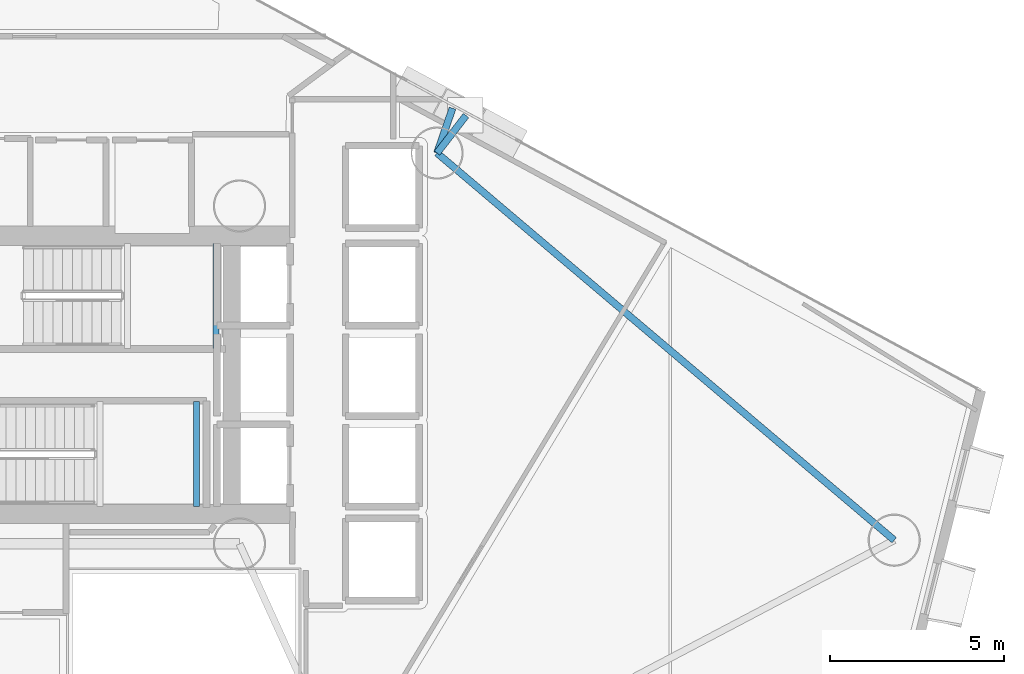
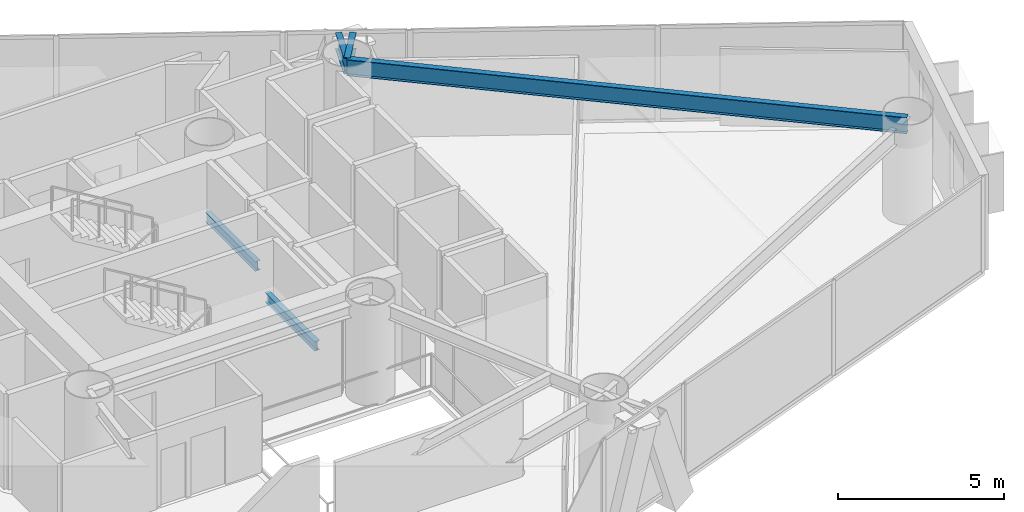
# One storey, part 10 of 21: 5 beams.
"""IFC4 building model written with IfcOpenShell, lengths in metres."""

from ifc_helpers import new_model, si_unit, direction, frame, origin, origin_2d, place, context, subcontext, project, spatial, i_section, extrude, material, material_profile, profile_set, type_object, element, save


model = new_model("IFC4")

# Units and contexts
model_context = context("Model", 3, precision=1e-05, world=origin(), true_north=direction((0.0, 1.0)))
body_context = subcontext(model_context, "Body", "Model", "MODEL_VIEW")
ifc_project = project(units=[si_unit("LENGTHUNIT", "METRE"), si_unit("AREAUNIT", "SQUARE_METRE"), si_unit("VOLUMEUNIT", "CUBIC_METRE"), si_unit("PLANEANGLEUNIT", "RADIAN"), si_unit("MASSUNIT", "GRAM", prefix="KILO")], contexts=[model_context])

# Site, building, storey
site_placement = place(None, origin())
site = spatial("IfcSite", under=ifc_project, at=site_placement, CompositionType="ELEMENT")
building_placement = place(site_placement, origin())
building = spatial("IfcBuilding", under=site, at=building_placement, Name="Qianvela Tower", CompositionType="ELEMENT")
storey_placement = place(building_placement, frame((0.0, 0.0, 127.39990234375)))
storey = spatial("IfcBuildingStorey", under=building, at=storey_placement, Name="L32", CompositionType="ELEMENT", Elevation=127.39990234375)

# Beams
ifc_material_1 = material(Name="Steel Q355B", Category="steel")
ifc_material_profile_1 = material_profile(ifc_material_1, i_section(OverallWidth=0.175048828125, OverallDepth=0.35009765625, WebThickness=0.007080078125, FlangeThickness=0.010986328125, at=origin_2d()), Name="HN350x175x7x11")
ifc_profile_set_1 = profile_set([ifc_material_profile_1], Name="Steel Q355B")
beam_type_1 = type_object("IfcBeamType", Name="BM-HN350-JOIST", PredefinedType="JOIST", material=ifc_profile_set_1)
for number, where, z_axis, x_axis, name in (
    (1, (37.719970703125, 29.4599609375, 1.47509765625), (0.0, 1.0, 0.0), (-1.0, 0.0, 0.0), "L32 Stair ST-1 Landing Support Beam 1.2"),
    (2, (37.169921875, 24.919921875, 1.47509765625), (0.0, 1.0, 0.0), (-1.0, 0.0, 0.0), "L32 Stair ST-2 Landing Support Beam 1.2"),
):
    element("IfcBeam", number, at=place(storey_placement, frame(where, z_axis=z_axis, x_axis=x_axis)), inside=storey, type_object=beam_type_1, Name=name, PredefinedType="JOIST", context=body_context, shape_type="SweptSolid", body=[
        extrude(i_section(OverallWidth=0.175048828125, OverallDepth=0.35009765625, WebThickness=0.007080078125, FlangeThickness=0.010986328125, at=origin_2d()), origin(), (0.0, 0.0, 1.0), 3.02001953125),
    ])
ifc_material_2 = material(Name="Steel Q355B", Category="steel")
ifc_material_profile_2 = material_profile(ifc_material_2, i_section(OverallWidth=0.199951171875, OverallDepth=0.60009765625, WebThickness=0.010986328125, FlangeThickness=0.01708984375, at=origin_2d()), Name="HN600x200x11x17")
ifc_profile_set_2 = profile_set([ifc_material_profile_2], Name="Steel Q355B")
beam_type_2 = type_object("IfcBeamType", Name="BM-HN600-GIRD", PredefinedType="BEAM", material=ifc_profile_set_2)
beam_1_placement = place(storey_placement, frame((44.071044921875, 35.070068359375, 3.218017578125), z_axis=(0.610854882463, 0.791742579738, 0.0), x_axis=(-0.791742579738, 0.610854882463, 0.0)))
element("IfcBeam", 3, at=beam_1_placement, inside=storey, type_object=beam_type_2, Name="L32 Mega-Brace Column Tie Bracket F1-1", PredefinedType="BEAM", context=body_context, shape_type="SweptSolid", body=[
    extrude(i_section(OverallWidth=0.199951171875, OverallDepth=0.60009765625, WebThickness=0.010986328125, FlangeThickness=0.01708984375, at=origin_2d()), origin(), (0.0, 0.0, 1.0), 1.360595703125),
])
beam_2_placement = place(storey_placement, frame((44.071044921875, 35.070068359375, 3.218017578125), z_axis=(0.326278279571, 0.945273761553, 0.0), x_axis=(-0.945273761553, 0.326278279571, 0.0)))
element("IfcBeam", 4, at=beam_2_placement, inside=storey, type_object=beam_type_2, Name="L32 Mega-Brace Column Tie Bracket F1-2", PredefinedType="BEAM", context=body_context, shape_type="SweptSolid", body=[
    extrude(i_section(OverallWidth=0.199951171875, OverallDepth=0.60009765625, WebThickness=0.010986328125, FlangeThickness=0.01708984375, at=origin_2d()), origin(), (0.0, 0.0, 1.0), 1.3603515625),
])
beam_3_placement = place(storey_placement, frame((57.194091796875, 23.9580078125, 3.218017578125), z_axis=(-0.763158437154, 0.646211420358, 0.0), x_axis=(-0.646211420358, -0.763158437154, 0.0)))
element("IfcBeam", 5, at=beam_3_placement, inside=storey, type_object=beam_type_2, Name="L32 Perimeter Ring Spandrel Girder 1", PredefinedType="BEAM", context=body_context, shape_type="SweptSolid", body=[
    extrude(i_section(OverallWidth=0.199951171875, OverallDepth=0.60009765625, WebThickness=0.010986328125, FlangeThickness=0.01708984375, at=origin_2d()), origin(), (0.0, 0.0, 1.0), 17.19580078125),
])

save(model, "model.ifc")
